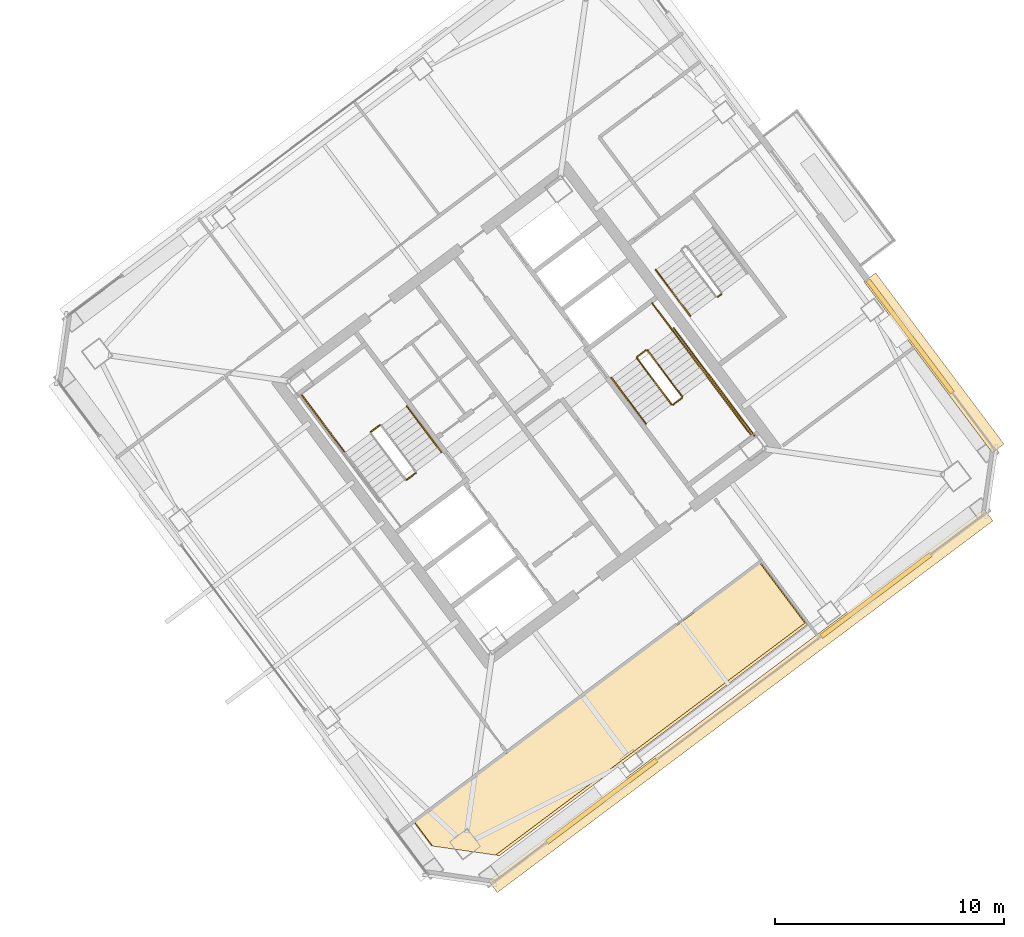
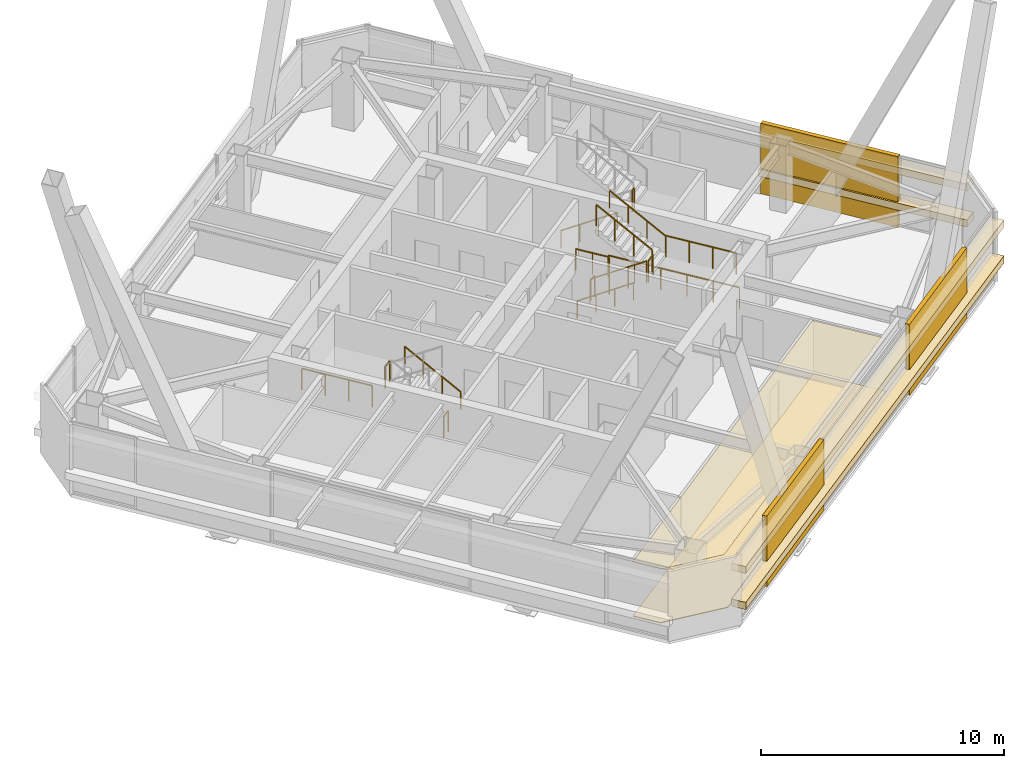
# One storey, part 54 of 56: 15 railings, 9 coverings.
"""IFC4 building model written with IfcOpenShell, lengths in metres."""

import ifcopenshell
import ifcopenshell.guid

model = None  # the IFC model being written
_history = None  # IfcOwnerHistory: only IFC2X3 demands one
_inside = {}  # id of a spatial element -> (the spatial element, [elements in it])
_under = {}  # id of a project, library or spatial element -> (it, [spatial elements below it])
_declared = {}  # id of a project -> (the project, [libraries it declares])
_typed = {}  # id of a type object -> (the type object, [elements of that type])
_made_of = {}  # id of a material, layer set ... -> (it, [elements and type objects made of it])


def new_model(schema):
    """Start an empty IFC model of exactly this schema.

    Asked for "IFC4X3", IfcOpenShell would pick the latest addendum, in which some entities
    have other attributes; the version numbers below select the first issue.
    IFC2X3 requires an IfcOwnerHistory on every rooted entity: one is made here for all.
    """
    global model, _history
    if schema == "IFC4X3":
        model = ifcopenshell.file(schema_version=(4, 3, 0, 0))
    else:
        model = ifcopenshell.file(schema=schema)
    _inside.clear()
    _under.clear()
    _declared.clear()
    _typed.clear()
    _made_of.clear()
    _history = None
    if model.schema == "IFC2X3":
        org = make("IfcOrganization", Name="unknown")
        user = make(
            "IfcPersonAndOrganization",
            ThePerson=make("IfcPerson", FamilyName="unknown"),
            TheOrganization=org,
        )
        app = make(
            "IfcApplication",
            ApplicationDeveloper=org,
            Version="unknown",
            ApplicationFullName="unknown",
            ApplicationIdentifier="unknown",
        )
        _history = make(
            "IfcOwnerHistory",
            OwningUser=user,
            OwningApplication=app,
            ChangeAction="ADDED",
            CreationDate=0,
        )
    return model


def make(cls, **values):
    """One entity of the class cls with the attributes given. An attribute that is None is left unset."""
    return model.create_entity(
        cls, **{name: value for name, value in values.items() if value is not None}
    )


def rooted(cls, **values):
    """An entity with a GlobalId (a new one), such as an element, a storey or a relation."""
    return make(cls, GlobalId=ifcopenshell.guid.new(), OwnerHistory=_history, **values)


def si_unit(unit_type, name, prefix=None):
    """IfcSIUnit, for example si_unit("LENGTHUNIT", "METRE", prefix="MILLI")."""
    return make("IfcSIUnit", UnitType=unit_type, Prefix=prefix, Name=name)


def assignment(units):
    """IfcUnitAssignment: the units of a project."""
    return None if units is None else make("IfcUnitAssignment", Units=units)


def point(xyz):
    """IfcCartesianPoint."""
    return None if xyz is None else make("IfcCartesianPoint", Coordinates=xyz)


def direction(xyz):
    """IfcDirection."""
    return None if xyz is None else make("IfcDirection", DirectionRatios=xyz)


def frame(location, z_axis=None, x_axis=None):
    """IfcAxis2Placement3D, a coordinate frame: its origin and axes. An axis left out is left unset."""
    return make(
        "IfcAxis2Placement3D",
        Location=point(location),
        Axis=direction(z_axis),
        RefDirection=direction(x_axis),
    )


def frame_2d(location, x_axis=None):
    """IfcAxis2Placement2D, a coordinate frame in the plane: its origin and x axis."""
    return make(
        "IfcAxis2Placement2D", Location=point(location), RefDirection=direction(x_axis)
    )


def origin():
    """The frame at (0, 0, 0) with its axes left unset."""
    return frame((0.0, 0.0, 0.0))


def origin_2d():
    """The frame at (0, 0) in the plane with its x axis left unset."""
    return frame_2d((0.0, 0.0))


def place(relative_to, where):
    """IfcLocalPlacement: puts the frame where relative to a parent placement (None: the world)."""
    return make(
        "IfcLocalPlacement", PlacementRelTo=relative_to, RelativePlacement=where
    )


def context(
    kind, dimensions, precision=None, world=None, true_north=None, identifier=None
):
    """IfcGeometricRepresentationContext, for example the 3D "Model" context."""
    return make(
        "IfcGeometricRepresentationContext",
        ContextIdentifier=identifier,
        ContextType=kind,
        CoordinateSpaceDimension=dimensions,
        Precision=precision,
        WorldCoordinateSystem=world,
        TrueNorth=true_north,
    )


def subcontext(parent, identifier, kind, view, scale=None):
    """IfcGeometricRepresentationSubContext, for example "Body" below "Model"."""
    return make(
        "IfcGeometricRepresentationSubContext",
        ContextIdentifier=identifier,
        ContextType=kind,
        ParentContext=parent,
        TargetScale=scale,
        TargetView=view,
    )


def project(units=None, contexts=None):
    """IfcProject with its units and contexts."""
    return rooted(
        "IfcProject",
        Name="project",
        RepresentationContexts=contexts,
        UnitsInContext=assignment(units),
    )


def spatial(cls, under=None, at=None, **own):
    """A site, building, storey or space (cls), placed at a placement, below another one or the project."""
    s = rooted(cls, ObjectPlacement=at, **own)
    if under is not None:
        _under.setdefault(under.id(), (under, []))[1].append(s)
    return s


def polyline(points):
    """IfcPolyline through the points."""
    return make("IfcPolyline", Points=[point(p) for p in points])


def profile(cls, at=None, kind="AREA", **sizes):
    """A parametric profile (cls). Its sizes go by their IFC names, for example OverallWidth=200.0."""
    return make(cls, ProfileType=kind, Position=at, **sizes)


def rectangle(**sizes):
    """IfcRectangleProfileDef."""
    return profile("IfcRectangleProfileDef", **sizes)


def outline(outer, holes=None, kind="AREA"):
    """IfcArbitraryClosedProfileDef: a profile drawn as a closed curve; with holes, ...WithVoids."""
    if holes is None:
        return make("IfcArbitraryClosedProfileDef", ProfileType=kind, OuterCurve=outer)
    return make(
        "IfcArbitraryProfileDefWithVoids",
        ProfileType=kind,
        OuterCurve=outer,
        InnerCurves=holes,
    )


def extrude(swept, where, along, depth):
    """IfcExtrudedAreaSolid: the profile swept, set in the frame where, extruded along a direction by depth."""
    return make(
        "IfcExtrudedAreaSolid",
        SweptArea=swept,
        Position=where,
        ExtrudedDirection=direction(along),
        Depth=depth,
    )


def shape(context_of_items, identifier, shape_type, items):
    """IfcShapeRepresentation: the items that make up one representation, for example the "Body"."""
    return make(
        "IfcShapeRepresentation",
        ContextOfItems=context_of_items,
        RepresentationIdentifier=identifier,
        RepresentationType=shape_type,
        Items=items,
    )


def material(Name=None, Category=None):
    """IfcMaterial."""
    return make("IfcMaterial", Name=Name, Category=Category)


def layer(
    of_material, thickness, ventilated=None, Name=None, Category=None, Priority=None
):
    """IfcMaterialLayer: one layer of a wall or slab, of a material (None: an air gap)."""
    return make(
        "IfcMaterialLayer",
        Material=of_material,
        LayerThickness=thickness,
        IsVentilated=ventilated,
        Name=Name,
        Category=Category,
        Priority=Priority,
    )


def layer_set(layers, Name=None):
    """IfcMaterialLayerSet."""
    return make("IfcMaterialLayerSet", MaterialLayers=layers, LayerSetName=Name)


def made_of(thing, what):
    """Note that an element or type object is made of a material, layer set ...; save() writes the relation."""
    if what is not None:
        _made_of.setdefault(what.id(), (what, []))[1].append(thing)
    return thing


def type_object(cls, material=None, **own):
    """A type object (cls), such as IfcWallType, which elements share."""
    return made_of(rooted(cls, **own), material)


def element(
    cls,
    number,
    at=None,
    inside=None,
    cuts=None,
    type_object=None,
    material=None,
    context=None,
    identifier="Body",
    shape_type=None,
    held_by="IfcProductDefinitionShape",
    body=None,
    shapes=None,
    **own,
):
    """One element of the class cls, such as IfcWall. Its Tag is "e" and its number.

    at: its placement. inside: the storey or other place that contains it. cuts: it is an
    opening in that element (IfcRelVoidsElement). A single representation is given by context,
    identifier, shape_type and body (its items); several are given by shapes. held_by: the class
    of the entity that holds the representations. save() writes the other relations.
    """
    e = rooted(cls, Tag="e%d" % number, ObjectPlacement=at, **own)
    if body is not None:
        shapes = [shape(context, identifier, shape_type, body)]
    if shapes is not None:
        e.Representation = make(held_by, Representations=shapes)
    if inside is not None:
        _inside.setdefault(inside.id(), (inside, []))[1].append(e)
    if cuts is not None:
        rooted(
            "IfcRelVoidsElement", RelatingBuildingElement=cuts, RelatedOpeningElement=e
        )
    if type_object is not None:
        _typed.setdefault(type_object.id(), (type_object, []))[1].append(e)
    return made_of(e, material)


def aggregate(whole, parts):
    """IfcRelAggregates: a whole, such as a stair, and the parts it consists of."""
    return rooted("IfcRelAggregates", RelatingObject=whole, RelatedObjects=parts)


def save(model, path):
    """Write the relations noted so far, then the file.

    IfcRelAggregates (storeys below a building ...), IfcRelContainedInSpatialStructure (elements
    in a storey), IfcRelDefinesByType, IfcRelAssociatesMaterial and IfcRelDeclares: one each for
    every whole, place, type object, material and project.
    """
    for whole, parts in _under.values():
        aggregate(whole, parts)
    for where, things in _inside.values():
        rooted(
            "IfcRelContainedInSpatialStructure",
            RelatedElements=things,
            RelatingStructure=where,
        )
    for kind, things in _typed.values():
        rooted("IfcRelDefinesByType", RelatedObjects=things, RelatingType=kind)
    for what, things in _made_of.values():
        rooted("IfcRelAssociatesMaterial", RelatedObjects=things, RelatingMaterial=what)
    for by, libraries in _declared.values():
        rooted("IfcRelDeclares", RelatingContext=by, RelatedDefinitions=libraries)
    model.write(path)


model = new_model("IFC4")

# Units and contexts
model_context = context("Model", 3, precision=1e-05, world=origin(), true_north=direction((0.0, 1.0)))
body_context = subcontext(model_context, "Body", "Model", "MODEL_VIEW")
ifc_project = project(units=[si_unit("LENGTHUNIT", "METRE"), si_unit("AREAUNIT", "SQUARE_METRE"), si_unit("VOLUMEUNIT", "CUBIC_METRE"), si_unit("PLANEANGLEUNIT", "RADIAN"), si_unit("MASSUNIT", "GRAM", prefix="KILO")], contexts=[model_context])

# Site, building, storey
site_placement = place(None, origin())
site = spatial("IfcSite", under=ifc_project, at=site_placement, CompositionType="ELEMENT")
building_placement = place(site_placement, origin())
building = spatial("IfcBuilding", under=site, at=building_placement, Name="Tashvorn Skyway Center", CompositionType="ELEMENT")
storey_placement = place(building_placement, frame((0.0, 0.0, 218.39990234375)))
storey = spatial("IfcBuildingStorey", under=building, at=storey_placement, Name="L59", CompositionType="ELEMENT", Elevation=218.39990234375)

# Coverings
ifc_material_1 = material(Name="Precast concrete C40/50", Category="concrete")
ifc_layer_1 = layer(ifc_material_1, 0.199951171875)
ifc_layer_set_1 = layer_set([ifc_layer_1], Name="Precast concrete C40/50")
covering_type_1 = type_object("IfcCoveringType", Name="COV-BRACE-CLAD", PredefinedType="CLADDING", material=ifc_layer_set_1)
for number, where, z_axis, x_axis, name in (
    (1, (129.279052734375, 24.109375, 0.0), (0.0, 0.0, 1.0), (-0.799999996291, -0.600000004945, 0.0), "Tower 2 L59 South Unitised Curtain Wall Mega-Brace Cladding Band 1"),
    (2, (117.296875, 15.12255859375, 0.0), (0.0, 0.0, 1.0), (-0.799999996291, -0.600000004945, 0.0), "Tower 2 L59 South Unitised Curtain Wall Mega-Brace Cladding Band 2"),
):
    element("IfcCovering", number, at=place(storey_placement, frame(where, z_axis=z_axis, x_axis=x_axis)), inside=storey, type_object=covering_type_1, Name=name, PredefinedType="CLADDING", context=body_context, shape_type="SweptSolid", body=[
        extrude(rectangle(XDim=5.9912109375, YDim=0.199951171875, at=origin_2d()), origin(), (0.0, 0.0, 1.0), 3.550048828125),
    ])
covering_1_placement = place(storey_placement, frame((130.780029296875, 35.4267578125, 0.0), z_axis=(0.0, 0.0, 1.0), x_axis=(0.600000004945, -0.799999996291, 0.0)))
element("IfcCovering", 3, at=covering_1_placement, inside=storey, type_object=covering_type_1, Name="Tower 2 L59 East Curtain Wall R Mega-Brace Cladding Band 1", PredefinedType="CLADDING", context=body_context, shape_type="SweptSolid", body=[
    extrude(rectangle(XDim=6.1533203125, YDim=0.199951171875, at=origin_2d()), origin(), (0.0, 0.0, 1.0), 3.550048828125),
])
ifc_material_2 = material(Name="Mineral-fibre acoustic ceiling tile on suspended grid")
ifc_layer_2 = layer(ifc_material_2, 0.02001953125)
ifc_layer_set_2 = layer_set([ifc_layer_2], Name="Mineral-fibre acoustic ceiling tile on suspended grid")
covering_type_2 = type_object("IfcCoveringType", Name="COV-CEIL-20", PredefinedType="CEILING", material=ifc_layer_set_2)
covering_2_placement = place(storey_placement, frame((0.0, 0.0, 2.703125)))
element("IfcCovering", 4, at=covering_2_placement, inside=storey, type_object=covering_type_2, Name="Tower 2 L59 Executive Study Lounge Acoustic Ceiling", PredefinedType="CEILING", context=body_context, shape_type="SweptSolid", body=[
    extrude(outline(polyline([(109.1220703125, 14.2041015625), (124.2099609375, 25.52001953125), (126.172119140625, 22.904052734375), (112.652099609375, 12.763916015625), (109.907958984375, 13.156005859375), (109.1220703125, 14.2041015625)])), origin(), (0.0, 0.0, 1.0), 0.02001953125),
])
ifc_material_3 = material(Name="Polished Mojave desert-aggregate terrazzo and cover plate")
ifc_layer_3 = layer(ifc_material_3, 0.0400390625)
ifc_layer_set_3 = layer_set([ifc_layer_3], Name="Polished Mojave desert-aggregate terrazzo and cover plate")
covering_type_3 = type_object("IfcCoveringType", Name="COV-FLR-40", PredefinedType="FLOORING", material=ifc_layer_set_3)
covering_3_placement = place(storey_placement, origin())
element("IfcCovering", 5, at=covering_3_placement, inside=storey, type_object=covering_type_3, Name="Tower 2 L59 Executive Study Lounge Finish Flooring", PredefinedType="FLOORING", context=body_context, shape_type="SweptSolid", body=[
    extrude(outline(polyline([(112.820068359375, 12.739990234375), (109.85205078125, 13.1640625), (109.114013671875, 14.14794921875), (124.26611328125, 25.511962890625), (126.27587890625, 22.83203125), (112.820068359375, 12.739990234375)])), origin(), (0.0, 0.0, 1.0), 0.0400390625),
])
ifc_material_4 = material(Name="Perforated ceramic-coated bronze aluminium solar screen", Category="aluminium")
ifc_layer_4 = layer(ifc_material_4, 0.85009765625)
ifc_layer_set_4 = layer_set([ifc_layer_4], Name="Perforated ceramic-coated bronze aluminium solar screen")
covering_type_4 = type_object("IfcCoveringType", Name="COV-SOLAR-BAND", PredefinedType="CLADDING", material=ifc_layer_set_4)
for number, where, z_axis, x_axis, name in (
    (6, (123.3720703125, 19.50390625, 0.919921875), (0.0, 0.0, 1.0), (-0.799999996291, -0.600000004945, 0.0), "L59 Perforated Ceramic-Metal Solar Screen Louvre Band South 1"),
    (7, (123.3720703125, 19.50390625, 2.72021484375), (0.0, 0.0, 1.0), (-0.799999996291, -0.600000004945, 0.0), "L59 Perforated Ceramic-Metal Solar Screen Louvre Band South 2"),
):
    element("IfcCovering", number, at=place(storey_placement, frame(where, z_axis=z_axis, x_axis=x_axis)), inside=storey, type_object=covering_type_4, Name=name, PredefinedType="CLADDING", context=body_context, shape_type="SweptSolid", body=[
        extrude(rectangle(XDim=27.080078125, YDim=0.639892578125, at=origin_2d()), origin(), (0.0, 0.0, 1.0), 0.360107421875),
    ])
for number, where, z_axis, x_axis, name in (
    (8, (131.81494140625, 34.280029296875, 0.919921875), (0.0, 0.0, 1.0), (0.600000004945, -0.799999996291, 0.0), "L59 Perforated Ceramic-Metal Solar Screen Louvre Band East 1"),
    (9, (131.81494140625, 34.280029296875, 2.72021484375), (0.0, 0.0, 1.0), (0.600000004945, -0.799999996291, 0.0), "L59 Perforated Ceramic-Metal Solar Screen Louvre Band East 2"),
):
    element("IfcCovering", number, at=place(storey_placement, frame(where, z_axis=z_axis, x_axis=x_axis)), inside=storey, type_object=covering_type_4, Name=name, PredefinedType="CLADDING", context=body_context, shape_type="SweptSolid", body=[
        extrude(rectangle(XDim=9.35009765625, YDim=0.639892578125, at=origin_2d()), origin(), (0.0, 0.0, 1.0), 0.360107421875),
    ])

# Railings
ifc_material_5 = material(Name="Brushed stainless steel 316", Category="steel")
railing_type_1 = type_object("IfcRailingType", Name="RAIL-HAND-920", PredefinedType="HANDRAIL", material=ifc_material_5)
railing_1_placement = place(storey_placement, frame((110.2880859375, 30.365966796875, 0.177490234375)))
element("IfcRailing", 10, at=railing_1_placement, inside=storey, type_object=railing_type_1, Name="L59 ST-T2-1 stair handrail 1", PredefinedType="HANDRAIL", context=body_context, shape_type="SweptSolid", body=[
    extrude(rectangle(XDim=0.048095703125, YDim=0.048095703125, at=origin_2d()), frame((0.0, 0.0, 0.8759765625), z_axis=(-0.506779409603, 0.675651334276, 0.53541563714), x_axis=(-0.799976749893, -0.600030998891, 0.0)), (0.0, 0.0, 1.0), 2.98388671875),
    extrude(rectangle(XDim=0.0419921875, YDim=0.0419921875, at=origin_2d()), origin(), (0.0, 0.0, 1.0), 0.851806640625),
    extrude(rectangle(XDim=0.0419921875, YDim=0.0419921875, at=origin_2d()), frame((-0.504150390625, 0.672119140625, 0.532470703125)), (0.0, 0.0, 1.0), 0.851806640625),
    extrude(rectangle(XDim=0.0419921875, YDim=0.0419921875, at=origin_2d()), frame((-1.008056640625, 1.343994140625, 1.065185546875)), (0.0, 0.0, 1.0), 0.851806640625),
    extrude(rectangle(XDim=0.0419921875, YDim=0.0419921875, at=origin_2d()), frame((-1.51220703125, 2.01611328125, 1.59765625)), (0.0, 0.0, 1.0), 0.851806640625),
])
railing_2_placement = place(storey_placement, frame((117.7119140625, 33.634033203125, 0.177490234375)))
element("IfcRailing", 11, at=railing_2_placement, inside=storey, type_object=railing_type_1, Name="L59 ST-T2-2 stair handrail 1", PredefinedType="HANDRAIL", context=body_context, shape_type="SweptSolid", body=[
    extrude(rectangle(XDim=0.048095703125, YDim=0.048095703125, at=origin_2d()), frame((0.0, 0.0, 0.8759765625), z_axis=(0.506779409603, -0.675651334276, 0.53541563714), x_axis=(0.799976749893, 0.600030998891, 0.0)), (0.0, 0.0, 1.0), 2.98388671875),
    extrude(rectangle(XDim=0.0419921875, YDim=0.0419921875, at=origin_2d()), origin(), (0.0, 0.0, 1.0), 0.851806640625),
    extrude(rectangle(XDim=0.0419921875, YDim=0.0419921875, at=origin_2d()), frame((0.504150390625, -0.672119140625, 0.532470703125)), (0.0, 0.0, 1.0), 0.851806640625),
    extrude(rectangle(XDim=0.0419921875, YDim=0.0419921875, at=origin_2d()), frame((1.008056640625, -1.343994140625, 1.065185546875)), (0.0, 0.0, 1.0), 0.851806640625),
    extrude(rectangle(XDim=0.0419921875, YDim=0.0419921875, at=origin_2d()), frame((1.51220703125, -2.01611328125, 1.59765625)), (0.0, 0.0, 1.0), 0.851806640625),
])
railing_3_placement = place(storey_placement, frame((121.927978515625, 33.64599609375, 1.95263671875)))
element("IfcRailing", 12, at=railing_3_placement, inside=storey, type_object=railing_type_1, Name="L59 ST-T2-2 stair handrail 2", PredefinedType="HANDRAIL", context=body_context, shape_type="SweptSolid", body=[
    extrude(rectangle(XDim=0.048095703125, YDim=0.048095703125, at=origin_2d()), frame((0.0, 0.0, 0.8759765625), z_axis=(-0.506740800098, 0.675708949977, 0.535379469569), x_axis=(-0.800023250257, -0.599968998406, 0.0)), (0.0, 0.0, 1.0), 2.983642578125),
    extrude(rectangle(XDim=0.0419921875, YDim=0.0419921875, at=origin_2d()), origin(), (0.0, 0.0, 1.0), 0.851806640625),
    extrude(rectangle(XDim=0.0419921875, YDim=0.0419921875, at=origin_2d()), frame((-0.50390625, 0.672119140625, 0.532470703125)), (0.0, 0.0, 1.0), 0.851806640625),
    extrude(rectangle(XDim=0.0419921875, YDim=0.0419921875, at=origin_2d()), frame((-1.008056640625, 1.343994140625, 1.06494140625)), (0.0, 0.0, 1.0), 0.851806640625),
    extrude(rectangle(XDim=0.0419921875, YDim=0.0419921875, at=origin_2d()), frame((-1.511962890625, 2.01611328125, 1.597412109375)), (0.0, 0.0, 1.0), 0.851806640625),
])
railing_4_placement = place(storey_placement, frame((119.656005859375, 38.342041015625, 0.177490234375)))
element("IfcRailing", 13, at=railing_4_placement, inside=storey, type_object=railing_type_1, Name="L59 ST-T2-3 stair handrail 1", PredefinedType="HANDRAIL", context=body_context, shape_type="SweptSolid", body=[
    extrude(rectangle(XDim=0.048095703125, YDim=0.048095703125, at=origin_2d()), frame((0.0, 0.0, 0.8759765625), z_axis=(0.506718600913, -0.675679348675, 0.535437836974), x_axis=(0.800023250257, 0.599968998406, 0.0)), (0.0, 0.0, 1.0), 2.98388671875),
    extrude(rectangle(XDim=0.0419921875, YDim=0.0419921875, at=origin_2d()), origin(), (0.0, 0.0, 1.0), 0.851806640625),
    extrude(rectangle(XDim=0.0419921875, YDim=0.0419921875, at=origin_2d()), frame((0.50390625, -0.672119140625, 0.532470703125)), (0.0, 0.0, 1.0), 0.851806640625),
    extrude(rectangle(XDim=0.0419921875, YDim=0.0419921875, at=origin_2d()), frame((1.008056640625, -1.343994140625, 1.065185546875)), (0.0, 0.0, 1.0), 0.851806640625),
    extrude(rectangle(XDim=0.0419921875, YDim=0.0419921875, at=origin_2d()), frame((1.511962890625, -2.01611328125, 1.59765625)), (0.0, 0.0, 1.0), 0.851806640625),
])
ifc_material_6 = material(Name="Painted galvanized steel S355", Category="steel")
railing_type_2 = type_object("IfcRailingType", Name="RAIL-STGUARD-1100", PredefinedType="GUARDRAIL", material=ifc_material_6)
railing_5_placement = place(storey_placement, frame((107.5859375, 31.552001953125, 1.775146484375)))
element("IfcRailing", 14, at=railing_5_placement, inside=storey, type_object=railing_type_2, Name="L59 ST-T2-1 stair guard 2", PredefinedType="GUARDRAIL", context=body_context, shape_type="SweptSolid", body=[
    extrude(rectangle(XDim=0.048095703125, YDim=0.048095703125, at=origin_2d()), frame((0.0, 0.0, 1.076171875), z_axis=(-0.799938970639, -0.600081363861, 0.0), x_axis=(0.600081363861, -0.799938970639, 0.0)), (0.0, 0.0, 1.0), 0.47998046875),
    extrude(rectangle(XDim=0.0419921875, YDim=0.0419921875, at=origin_2d()), origin(), (0.0, 0.0, 1.0), 1.052001953125),
    extrude(rectangle(XDim=0.0419921875, YDim=0.0419921875, at=origin_2d()), frame((-0.384033203125, -0.2880859375, 0.0)), (0.0, 0.0, 1.0), 1.052001953125),
])
railing_6_placement = place(storey_placement, frame((106.072021484375, 30.35400390625, 1.775146484375)))
element("IfcRailing", 15, at=railing_6_placement, inside=storey, type_object=railing_type_2, Name="L59 ST-T2-1 stair guard 3", PredefinedType="GUARDRAIL", context=body_context, shape_type="SweptSolid", body=[
    extrude(rectangle(XDim=0.048095703125, YDim=0.048095703125, at=origin_2d()), frame((0.0, 0.0, 1.076171875), z_axis=(-0.599987638607, 0.800009270896, 0.0), x_axis=(-0.800009270896, -0.599987638607, 0.0)), (0.0, 0.0, 1.0), 3.16015625),
    extrude(rectangle(XDim=0.0419921875, YDim=0.0419921875, at=origin_2d()), origin(), (0.0, 0.0, 1.0), 1.052001953125),
    extrude(rectangle(XDim=0.0419921875, YDim=0.0419921875, at=origin_2d()), frame((-0.632080078125, 0.8427734375, 0.0)), (0.0, 0.0, 1.0), 1.052001953125),
    extrude(rectangle(XDim=0.0419921875, YDim=0.0419921875, at=origin_2d()), frame((-1.263916015625, 1.685302734375, 0.0)), (0.0, 0.0, 1.0), 1.052001953125),
    extrude(rectangle(XDim=0.0419921875, YDim=0.0419921875, at=origin_2d()), frame((-1.89599609375, 2.528076171875, 0.0)), (0.0, 0.0, 1.0), 1.052001953125),
])
railing_7_placement = place(storey_placement, frame((109.157958984375, 29.4560546875, 0.0)))
element("IfcRailing", 16, at=railing_7_placement, inside=storey, type_object=railing_type_2, Name="L59 ST-T2-1 stair guard 5", PredefinedType="GUARDRAIL", context=body_context, shape_type="SweptSolid", body=[
    extrude(rectangle(XDim=0.048095703125, YDim=0.048095703125, at=origin_2d()), frame((0.0, 0.0, 1.076171875), z_axis=(-0.799938970639, -0.600081363861, 0.0), x_axis=(0.600081363861, -0.799938970639, 0.0)), (0.0, 0.0, 1.0), 0.47998046875),
    extrude(rectangle(XDim=0.0419921875, YDim=0.0419921875, at=origin_2d()), origin(), (0.0, 0.0, 1.0), 1.052001953125),
    extrude(rectangle(XDim=0.0419921875, YDim=0.0419921875, at=origin_2d()), frame((-0.384033203125, -0.2880859375, 0.0)), (0.0, 0.0, 1.0), 1.052001953125),
])
railing_8_placement = place(storey_placement, frame((118.83203125, 34.47412109375, 0.177490234375)))
element("IfcRailing", 17, at=railing_8_placement, inside=storey, type_object=railing_type_2, Name="L59 ST-T2-2 stair guard 1", PredefinedType="GUARDRAIL", context=body_context, shape_type="SweptSolid", body=[
    extrude(rectangle(XDim=0.048095703125, YDim=0.048095703125, at=origin_2d()), frame((0.0, 0.0, 1.076171875), z_axis=(0.506718600913, -0.675679348675, 0.535437836974), x_axis=(0.800023250257, 0.599968998406, 0.0)), (0.0, 0.0, 1.0), 2.98388671875),
    extrude(rectangle(XDim=0.0419921875, YDim=0.0419921875, at=origin_2d()), origin(), (0.0, 0.0, 1.0), 1.052001953125),
    extrude(rectangle(XDim=0.0419921875, YDim=0.0419921875, at=origin_2d()), frame((0.50390625, -0.672119140625, 0.532470703125)), (0.0, 0.0, 1.0), 1.052001953125),
    extrude(rectangle(XDim=0.0419921875, YDim=0.0419921875, at=origin_2d()), frame((1.008056640625, -1.343994140625, 1.065185546875)), (0.0, 0.0, 1.0), 1.052001953125),
    extrude(rectangle(XDim=0.0419921875, YDim=0.0419921875, at=origin_2d()), frame((1.511962890625, -2.01611328125, 1.59765625)), (0.0, 0.0, 1.0), 1.052001953125),
])
railing_9_placement = place(storey_placement, frame((120.4140625, 32.447998046875, 1.775146484375)))
element("IfcRailing", 18, at=railing_9_placement, inside=storey, type_object=railing_type_2, Name="L59 ST-T2-2 stair guard 2", PredefinedType="GUARDRAIL", context=body_context, shape_type="SweptSolid", body=[
    extrude(rectangle(XDim=0.048095703125, YDim=0.048095703125, at=origin_2d()), frame((0.0, 0.0, 1.076171875), z_axis=(0.799938970639, 0.600081363861, 0.0), x_axis=(-0.600081363861, 0.799938970639, 0.0)), (0.0, 0.0, 1.0), 0.47998046875),
    extrude(rectangle(XDim=0.0419921875, YDim=0.0419921875, at=origin_2d()), origin(), (0.0, 0.0, 1.0), 1.052001953125),
    extrude(rectangle(XDim=0.0419921875, YDim=0.0419921875, at=origin_2d()), frame((0.384033203125, 0.2880859375, 0.0)), (0.0, 0.0, 1.0), 1.052001953125),
])
railing_10_placement = place(storey_placement, frame((121.927978515625, 33.64599609375, 1.775146484375)))
element("IfcRailing", 19, at=railing_10_placement, inside=storey, type_object=railing_type_2, Name="L59 ST-T2-2 stair guard 3", PredefinedType="GUARDRAIL", context=body_context, shape_type="SweptSolid", body=[
    extrude(rectangle(XDim=0.048095703125, YDim=0.048095703125, at=origin_2d()), frame((0.0, 0.0, 1.076171875), z_axis=(0.599987638607, -0.800009270896, 0.0), x_axis=(0.800009270896, 0.599987638607, 0.0)), (0.0, 0.0, 1.0), 3.16015625),
    extrude(rectangle(XDim=0.0419921875, YDim=0.0419921875, at=origin_2d()), origin(), (0.0, 0.0, 1.0), 1.052001953125),
    extrude(rectangle(XDim=0.0419921875, YDim=0.0419921875, at=origin_2d()), frame((0.632080078125, -0.8427734375, 0.0)), (0.0, 0.0, 1.0), 1.052001953125),
    extrude(rectangle(XDim=0.0419921875, YDim=0.0419921875, at=origin_2d()), frame((1.263916015625, -1.685302734375, 0.0)), (0.0, 0.0, 1.0), 1.052001953125),
    extrude(rectangle(XDim=0.0419921875, YDim=0.0419921875, at=origin_2d()), frame((1.89599609375, -2.528076171875, 0.0)), (0.0, 0.0, 1.0), 1.052001953125),
])
railing_11_placement = place(storey_placement, frame((120.80810546875, 32.805908203125, 1.95263671875)))
element("IfcRailing", 20, at=railing_11_placement, inside=storey, type_object=railing_type_2, Name="L59 ST-T2-2 stair guard 4", PredefinedType="GUARDRAIL", context=body_context, shape_type="SweptSolid", body=[
    extrude(rectangle(XDim=0.048095703125, YDim=0.048095703125, at=origin_2d()), frame((0.0, 0.0, 1.076171875), z_axis=(-0.506801609611, 0.675680931896, 0.535357270211), x_axis=(-0.799976749893, -0.600030998891, 0.0)), (0.0, 0.0, 1.0), 2.98388671875),
    extrude(rectangle(XDim=0.0419921875, YDim=0.0419921875, at=origin_2d()), origin(), (0.0, 0.0, 1.0), 1.052001953125),
    extrude(rectangle(XDim=0.0419921875, YDim=0.0419921875, at=origin_2d()), frame((-0.504150390625, 0.672119140625, 0.532470703125)), (0.0, 0.0, 1.0), 1.052001953125),
    extrude(rectangle(XDim=0.0419921875, YDim=0.0419921875, at=origin_2d()), frame((-1.008056640625, 1.343994140625, 1.06494140625)), (0.0, 0.0, 1.0), 1.052001953125),
    extrude(rectangle(XDim=0.0419921875, YDim=0.0419921875, at=origin_2d()), frame((-1.51220703125, 2.01611328125, 1.597412109375)), (0.0, 0.0, 1.0), 1.052001953125),
])
railing_12_placement = place(storey_placement, frame((118.842041015625, 34.5439453125, 0.0)))
element("IfcRailing", 21, at=railing_12_placement, inside=storey, type_object=railing_type_2, Name="L59 ST-T2-2 stair guard 5", PredefinedType="GUARDRAIL", context=body_context, shape_type="SweptSolid", body=[
    extrude(rectangle(XDim=0.048095703125, YDim=0.048095703125, at=origin_2d()), frame((0.0, 0.0, 1.076171875), z_axis=(0.799938970639, 0.600081363861, 0.0), x_axis=(-0.600081363861, 0.799938970639, 0.0)), (0.0, 0.0, 1.0), 0.47998046875),
    extrude(rectangle(XDim=0.0419921875, YDim=0.0419921875, at=origin_2d()), origin(), (0.0, 0.0, 1.0), 1.052001953125),
    extrude(rectangle(XDim=0.0419921875, YDim=0.0419921875, at=origin_2d()), frame((0.384033203125, 0.2880859375, 0.0)), (0.0, 0.0, 1.0), 1.052001953125),
])
railing_13_placement = place(storey_placement, frame((119.50390625, 36.8779296875, 0.0)))
element("IfcRailing", 22, at=railing_13_placement, inside=storey, type_object=railing_type_2, Name="L59 ST-T2-2 stair guard 6", PredefinedType="GUARDRAIL", context=body_context, shape_type="SweptSolid", body=[
    extrude(rectangle(XDim=0.048095703125, YDim=0.048095703125, at=origin_2d()), frame((0.0, 0.0, 1.076171875), z_axis=(0.600102796382, -0.799922892393, 0.0), x_axis=(0.799922892393, 0.600102796382, 0.0)), (0.0, 0.0, 1.0), 1.52001953125),
    extrude(rectangle(XDim=0.0419921875, YDim=0.0419921875, at=origin_2d()), origin(), (0.0, 0.0, 1.0), 1.052001953125),
    extrude(rectangle(XDim=0.0419921875, YDim=0.0419921875, at=origin_2d()), frame((0.4560546875, -0.60791015625, 0.0)), (0.0, 0.0, 1.0), 1.052001953125),
    extrude(rectangle(XDim=0.0419921875, YDim=0.0419921875, at=origin_2d()), frame((0.912109375, -1.2158203125, 0.0)), (0.0, 0.0, 1.0), 1.052001953125),
])
railing_14_placement = place(storey_placement, frame((120.43603515625, 35.802001953125, 0.0)))
element("IfcRailing", 23, at=railing_14_placement, inside=storey, type_object=railing_type_2, Name="L59 ST-T2-2 stair guard 7", PredefinedType="GUARDRAIL", context=body_context, shape_type="SweptSolid", body=[
    extrude(rectangle(XDim=0.048095703125, YDim=0.048095703125, at=origin_2d()), frame((0.0, 0.0, 1.076171875), z_axis=(0.6, -0.8, 0.0), x_axis=(0.8, 0.6, 0.0)), (0.0, 0.0, 1.0), 5.880126953125),
    extrude(rectangle(XDim=0.0419921875, YDim=0.0419921875, at=origin_2d()), origin(), (0.0, 0.0, 1.0), 1.052001953125),
    extrude(rectangle(XDim=0.0419921875, YDim=0.0419921875, at=origin_2d()), frame((0.70556640625, -0.94091796875, 0.0)), (0.0, 0.0, 1.0), 1.052001953125),
    extrude(rectangle(XDim=0.0419921875, YDim=0.0419921875, at=origin_2d()), frame((1.4111328125, -1.881591796875, 0.0)), (0.0, 0.0, 1.0), 1.052001953125),
    extrude(rectangle(XDim=0.0419921875, YDim=0.0419921875, at=origin_2d()), frame((2.116943359375, -2.822509765625, 0.0)), (0.0, 0.0, 1.0), 1.052001953125),
    extrude(rectangle(XDim=0.0419921875, YDim=0.0419921875, at=origin_2d()), frame((2.822509765625, -3.76318359375, 0.0)), (0.0, 0.0, 1.0), 1.052001953125),
    extrude(rectangle(XDim=0.0419921875, YDim=0.0419921875, at=origin_2d()), frame((3.528076171875, -4.7041015625, 0.0)), (0.0, 0.0, 1.0), 1.052001953125),
])
railing_15_placement = place(storey_placement, frame((122.35791015625, 37.156005859375, 1.775146484375)))
element("IfcRailing", 24, at=railing_15_placement, inside=storey, type_object=railing_type_2, Name="L59 ST-T2-3 stair guard 2", PredefinedType="GUARDRAIL", context=body_context, shape_type="SweptSolid", body=[
    extrude(rectangle(XDim=0.048095703125, YDim=0.048095703125, at=origin_2d()), frame((0.0, 0.0, 1.076171875), z_axis=(0.800585412921, 0.599218655098, 0.0), x_axis=(-0.599218655098, 0.800585412921, 0.0)), (0.0, 0.0, 1.0), 0.199951171875),
    extrude(rectangle(XDim=0.0419921875, YDim=0.0419921875, at=origin_2d()), origin(), (0.0, 0.0, 1.0), 1.052001953125),
    extrude(rectangle(XDim=0.0419921875, YDim=0.0419921875, at=origin_2d()), frame((0.16015625, 0.119873046875, 0.0)), (0.0, 0.0, 1.0), 1.052001953125),
])

save(model, "model.ifc")
